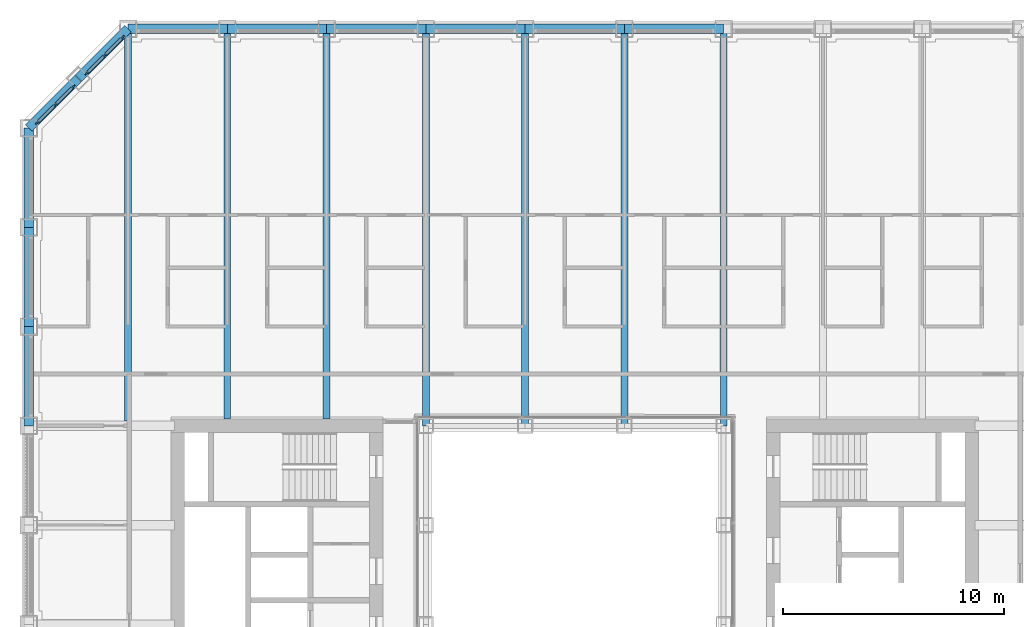
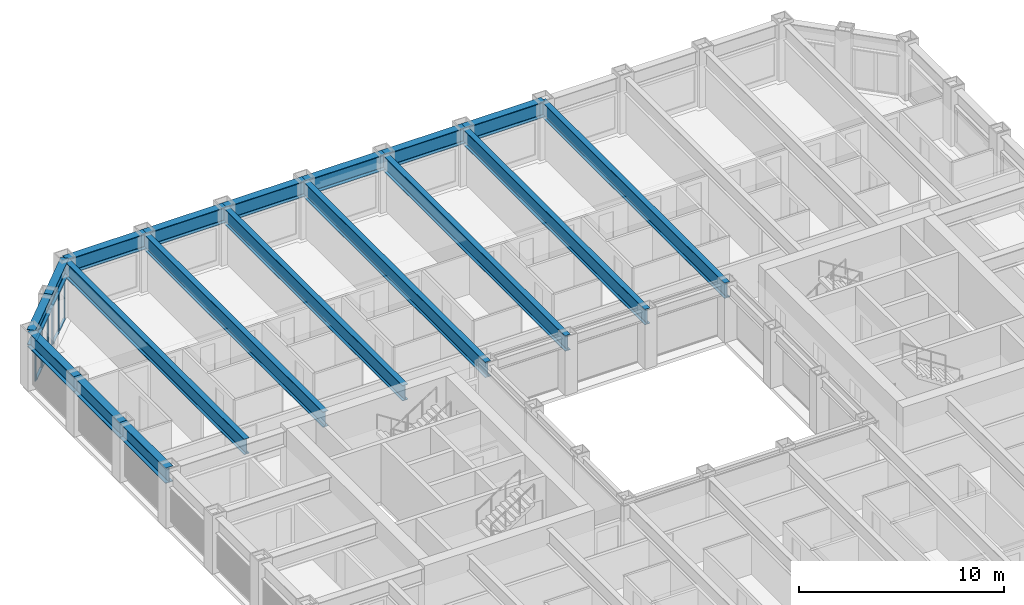
# One storey, part 6 of 21: 18 beams, 14 members, 2 elements without a shape of their own.
"""IFC4 building model written with IfcOpenShell, lengths in metres."""

import ifcopenshell
import ifcopenshell.guid

model = None  # the IFC model being written
_history = None  # IfcOwnerHistory: only IFC2X3 demands one
_inside = {}  # id of a spatial element -> (the spatial element, [elements in it])
_under = {}  # id of a project, library or spatial element -> (it, [spatial elements below it])
_declared = {}  # id of a project -> (the project, [libraries it declares])
_typed = {}  # id of a type object -> (the type object, [elements of that type])
_made_of = {}  # id of a material, layer set ... -> (it, [elements and type objects made of it])


def new_model(schema):
    """Start an empty IFC model of exactly this schema.

    Asked for "IFC4X3", IfcOpenShell would pick the latest addendum, in which some entities
    have other attributes; the version numbers below select the first issue.
    IFC2X3 requires an IfcOwnerHistory on every rooted entity: one is made here for all.
    """
    global model, _history
    if schema == "IFC4X3":
        model = ifcopenshell.file(schema_version=(4, 3, 0, 0))
    else:
        model = ifcopenshell.file(schema=schema)
    _inside.clear()
    _under.clear()
    _declared.clear()
    _typed.clear()
    _made_of.clear()
    _history = None
    if model.schema == "IFC2X3":
        org = make("IfcOrganization", Name="unknown")
        user = make(
            "IfcPersonAndOrganization",
            ThePerson=make("IfcPerson", FamilyName="unknown"),
            TheOrganization=org,
        )
        app = make(
            "IfcApplication",
            ApplicationDeveloper=org,
            Version="unknown",
            ApplicationFullName="unknown",
            ApplicationIdentifier="unknown",
        )
        _history = make(
            "IfcOwnerHistory",
            OwningUser=user,
            OwningApplication=app,
            ChangeAction="ADDED",
            CreationDate=0,
        )
    return model


def make(cls, **values):
    """One entity of the class cls with the attributes given. An attribute that is None is left unset."""
    return model.create_entity(
        cls, **{name: value for name, value in values.items() if value is not None}
    )


def rooted(cls, **values):
    """An entity with a GlobalId (a new one), such as an element, a storey or a relation."""
    return make(cls, GlobalId=ifcopenshell.guid.new(), OwnerHistory=_history, **values)


def si_unit(unit_type, name, prefix=None):
    """IfcSIUnit, for example si_unit("LENGTHUNIT", "METRE", prefix="MILLI")."""
    return make("IfcSIUnit", UnitType=unit_type, Prefix=prefix, Name=name)


def assignment(units):
    """IfcUnitAssignment: the units of a project."""
    return None if units is None else make("IfcUnitAssignment", Units=units)


def point(xyz):
    """IfcCartesianPoint."""
    return None if xyz is None else make("IfcCartesianPoint", Coordinates=xyz)


def direction(xyz):
    """IfcDirection."""
    return None if xyz is None else make("IfcDirection", DirectionRatios=xyz)


def frame(location, z_axis=None, x_axis=None):
    """IfcAxis2Placement3D, a coordinate frame: its origin and axes. An axis left out is left unset."""
    return make(
        "IfcAxis2Placement3D",
        Location=point(location),
        Axis=direction(z_axis),
        RefDirection=direction(x_axis),
    )


def frame_2d(location, x_axis=None):
    """IfcAxis2Placement2D, a coordinate frame in the plane: its origin and x axis."""
    return make(
        "IfcAxis2Placement2D", Location=point(location), RefDirection=direction(x_axis)
    )


def origin():
    """The frame at (0, 0, 0) with its axes left unset."""
    return frame((0.0, 0.0, 0.0))


def origin_2d():
    """The frame at (0, 0) in the plane with its x axis left unset."""
    return frame_2d((0.0, 0.0))


def place(relative_to, where):
    """IfcLocalPlacement: puts the frame where relative to a parent placement (None: the world)."""
    return make(
        "IfcLocalPlacement", PlacementRelTo=relative_to, RelativePlacement=where
    )


def context(
    kind, dimensions, precision=None, world=None, true_north=None, identifier=None
):
    """IfcGeometricRepresentationContext, for example the 3D "Model" context."""
    return make(
        "IfcGeometricRepresentationContext",
        ContextIdentifier=identifier,
        ContextType=kind,
        CoordinateSpaceDimension=dimensions,
        Precision=precision,
        WorldCoordinateSystem=world,
        TrueNorth=true_north,
    )


def subcontext(parent, identifier, kind, view, scale=None):
    """IfcGeometricRepresentationSubContext, for example "Body" below "Model"."""
    return make(
        "IfcGeometricRepresentationSubContext",
        ContextIdentifier=identifier,
        ContextType=kind,
        ParentContext=parent,
        TargetScale=scale,
        TargetView=view,
    )


def project(units=None, contexts=None):
    """IfcProject with its units and contexts."""
    return rooted(
        "IfcProject",
        Name="project",
        RepresentationContexts=contexts,
        UnitsInContext=assignment(units),
    )


def spatial(cls, under=None, at=None, **own):
    """A site, building, storey or space (cls), placed at a placement, below another one or the project."""
    s = rooted(cls, ObjectPlacement=at, **own)
    if under is not None:
        _under.setdefault(under.id(), (under, []))[1].append(s)
    return s


def profile(cls, at=None, kind="AREA", **sizes):
    """A parametric profile (cls). Its sizes go by their IFC names, for example OverallWidth=200.0."""
    return make(cls, ProfileType=kind, Position=at, **sizes)


def rectangle(**sizes):
    """IfcRectangleProfileDef."""
    return profile("IfcRectangleProfileDef", **sizes)


def i_section(**sizes):
    """IfcIShapeProfileDef."""
    return profile("IfcIShapeProfileDef", **sizes)


def extrude(swept, where, along, depth):
    """IfcExtrudedAreaSolid: the profile swept, set in the frame where, extruded along a direction by depth."""
    return make(
        "IfcExtrudedAreaSolid",
        SweptArea=swept,
        Position=where,
        ExtrudedDirection=direction(along),
        Depth=depth,
    )


def shape(context_of_items, identifier, shape_type, items):
    """IfcShapeRepresentation: the items that make up one representation, for example the "Body"."""
    return make(
        "IfcShapeRepresentation",
        ContextOfItems=context_of_items,
        RepresentationIdentifier=identifier,
        RepresentationType=shape_type,
        Items=items,
    )


def material(Name=None, Category=None):
    """IfcMaterial."""
    return make("IfcMaterial", Name=Name, Category=Category)


def material_profile(
    of_material, cross_section, Name=None, Category=None, Priority=None
):
    """IfcMaterialProfile: a cross section and its material."""
    return make(
        "IfcMaterialProfile",
        Name=Name,
        Material=of_material,
        Profile=cross_section,
        Priority=Priority,
        Category=Category,
    )


def profile_set(profiles, Name=None, composite=None):
    """IfcMaterialProfileSet."""
    return make(
        "IfcMaterialProfileSet",
        Name=Name,
        MaterialProfiles=profiles,
        CompositeProfile=composite,
    )


def made_of(thing, what):
    """Note that an element or type object is made of a material, layer set ...; save() writes the relation."""
    if what is not None:
        _made_of.setdefault(what.id(), (what, []))[1].append(thing)
    return thing


def type_object(cls, material=None, **own):
    """A type object (cls), such as IfcWallType, which elements share."""
    return made_of(rooted(cls, **own), material)


def element(
    cls,
    number,
    at=None,
    inside=None,
    cuts=None,
    type_object=None,
    material=None,
    context=None,
    identifier="Body",
    shape_type=None,
    held_by="IfcProductDefinitionShape",
    body=None,
    shapes=None,
    **own,
):
    """One element of the class cls, such as IfcWall. Its Tag is "e" and its number.

    at: its placement. inside: the storey or other place that contains it. cuts: it is an
    opening in that element (IfcRelVoidsElement). A single representation is given by context,
    identifier, shape_type and body (its items); several are given by shapes. held_by: the class
    of the entity that holds the representations. save() writes the other relations.
    """
    e = rooted(cls, Tag="e%d" % number, ObjectPlacement=at, **own)
    if body is not None:
        shapes = [shape(context, identifier, shape_type, body)]
    if shapes is not None:
        e.Representation = make(held_by, Representations=shapes)
    if inside is not None:
        _inside.setdefault(inside.id(), (inside, []))[1].append(e)
    if cuts is not None:
        rooted(
            "IfcRelVoidsElement", RelatingBuildingElement=cuts, RelatedOpeningElement=e
        )
    if type_object is not None:
        _typed.setdefault(type_object.id(), (type_object, []))[1].append(e)
    return made_of(e, material)


def aggregate(whole, parts):
    """IfcRelAggregates: a whole, such as a stair, and the parts it consists of."""
    return rooted("IfcRelAggregates", RelatingObject=whole, RelatedObjects=parts)


def save(model, path):
    """Write the relations noted so far, then the file.

    IfcRelAggregates (storeys below a building ...), IfcRelContainedInSpatialStructure (elements
    in a storey), IfcRelDefinesByType, IfcRelAssociatesMaterial and IfcRelDeclares: one each for
    every whole, place, type object, material and project.
    """
    for whole, parts in _under.values():
        aggregate(whole, parts)
    for where, things in _inside.values():
        rooted(
            "IfcRelContainedInSpatialStructure",
            RelatedElements=things,
            RelatingStructure=where,
        )
    for kind, things in _typed.values():
        rooted("IfcRelDefinesByType", RelatedObjects=things, RelatingType=kind)
    for what, things in _made_of.values():
        rooted("IfcRelAssociatesMaterial", RelatedObjects=things, RelatingMaterial=what)
    for by, libraries in _declared.values():
        rooted("IfcRelDeclares", RelatingContext=by, RelatedDefinitions=libraries)
    model.write(path)


model = new_model("IFC4")

# Units and contexts
model_context = context("Model", 3, precision=1e-05, world=origin(), true_north=direction((0.0, 1.0)))
body_context = subcontext(model_context, "Body", "Model", "MODEL_VIEW")
ifc_project = project(units=[si_unit("LENGTHUNIT", "METRE"), si_unit("AREAUNIT", "SQUARE_METRE"), si_unit("VOLUMEUNIT", "CUBIC_METRE"), si_unit("PLANEANGLEUNIT", "RADIAN"), si_unit("MASSUNIT", "GRAM", prefix="KILO")], contexts=[model_context])

# Site, building, storey
site_placement = place(None, origin())
site = spatial("IfcSite", under=ifc_project, at=site_placement, CompositionType="ELEMENT")
building_placement = place(site_placement, origin())
building = spatial("IfcBuilding", under=site, at=building_placement, Name="Msasa Ring Tower", CompositionType="ELEMENT")
storey_placement = place(building_placement, frame((0.0, 0.0, 96.5)))
storey = spatial("IfcBuildingStorey", under=building, at=storey_placement, Name="L25", CompositionType="ELEMENT", Elevation=96.5)

# Curtain wall, members
ifc_material_1 = material(Name="Aluminium curtain wall with clear glass", Category="aluminium")
curtain_wall_type = type_object("IfcCurtainWallType", Name="CW-C CHAMFER CORNER CURTAIN WALL", PredefinedType="NOTDEFINED", material=ifc_material_1)
curtain_wall_1_placement = place(storey_placement, origin())
curtain_wall_1 = element("IfcCurtainWall", 1, at=curtain_wall_1_placement, inside=storey, type_object=curtain_wall_type, Name="Chamfer corner curtain wall NW L25", PredefinedType="NOTDEFINED")
ifc_material_2 = material(Name="Aluminium mullion", Category="aluminium")
ifc_material_profile_1 = material_profile(ifc_material_2, rectangle(XDim=0.06494140625, YDim=0.179931640625, at=origin_2d()), Name="AL 65x180")
ifc_profile_set_1 = profile_set([ifc_material_profile_1], Name="Aluminium mullion")
member_type_1 = type_object("IfcMemberType", Name="CW-C MULLION 65x180", PredefinedType="MULLION", material=ifc_profile_set_1)
member_1_placement = place(storey_placement, frame((-22.73876953125, 22.119873046875, 0.0), z_axis=(0.0, 0.0, 1.0), x_axis=(0.707106781187, -0.707106781187, 0.0)))
member_1 = element("IfcMember", 2, at=member_1_placement, type_object=member_type_1, Name="CW-C mullion 1", PredefinedType="MULLION", context=body_context, shape_type="SweptSolid", body=[
    extrude(rectangle(XDim=0.06494140625, YDim=0.179931640625, at=origin_2d()), origin(), (0.0, 0.0, 1.0), 2.37890625),
])
member_2_placement = place(storey_placement, frame((-23.55419921875, 21.30419921875, 0.0), z_axis=(0.0, 0.0, 1.0), x_axis=(0.707106781187, -0.707106781187, 0.0)))
member_2 = element("IfcMember", 3, at=member_2_placement, type_object=member_type_1, Name="CW-C mullion 2", PredefinedType="MULLION", context=body_context, shape_type="SweptSolid", body=[
    extrude(rectangle(XDim=0.06494140625, YDim=0.179931640625, at=origin_2d()), origin(), (0.0, 0.0, 1.0), 2.37890625),
])
member_3_placement = place(storey_placement, frame((-24.369873046875, 20.48876953125, 0.0), z_axis=(0.0, 0.0, 1.0), x_axis=(0.707106781187, -0.707106781187, 0.0)))
member_3 = element("IfcMember", 4, at=member_3_placement, type_object=member_type_1, Name="CW-C mullion 3", PredefinedType="MULLION", context=body_context, shape_type="SweptSolid", body=[
    extrude(rectangle(XDim=0.06494140625, YDim=0.179931640625, at=origin_2d()), origin(), (0.0, 0.0, 1.0), 2.37890625),
])

curtain_wall_2_placement = place(storey_placement, origin())
curtain_wall_2 = element("IfcCurtainWall", 5, at=curtain_wall_2_placement, inside=storey, type_object=curtain_wall_type, Name="Chamfer corner curtain wall NW L25", PredefinedType="NOTDEFINED")
member_4_placement = place(storey_placement, frame((-20.48876953125, 24.369873046875, 0.0), z_axis=(0.0, 0.0, 1.0), x_axis=(0.707106781187, -0.707106781187, 0.0)))
member_4 = element("IfcMember", 6, at=member_4_placement, type_object=member_type_1, Name="CW-C mullion 1", PredefinedType="MULLION", context=body_context, shape_type="SweptSolid", body=[
    extrude(rectangle(XDim=0.06494140625, YDim=0.179931640625, at=origin_2d()), origin(), (0.0, 0.0, 1.0), 2.37890625),
])
member_5_placement = place(storey_placement, frame((-21.30419921875, 23.55419921875, 0.0), z_axis=(0.0, 0.0, 1.0), x_axis=(0.707106781187, -0.707106781187, 0.0)))
member_5 = element("IfcMember", 7, at=member_5_placement, type_object=member_type_1, Name="CW-C mullion 2", PredefinedType="MULLION", context=body_context, shape_type="SweptSolid", body=[
    extrude(rectangle(XDim=0.06494140625, YDim=0.179931640625, at=origin_2d()), origin(), (0.0, 0.0, 1.0), 2.37890625),
])
member_6_placement = place(storey_placement, frame((-22.119873046875, 22.73876953125, 0.0), z_axis=(0.0, 0.0, 1.0), x_axis=(0.707106781187, -0.707106781187, 0.0)))
member_6 = element("IfcMember", 8, at=member_6_placement, type_object=member_type_1, Name="CW-C mullion 3", PredefinedType="MULLION", context=body_context, shape_type="SweptSolid", body=[
    extrude(rectangle(XDim=0.06494140625, YDim=0.179931640625, at=origin_2d()), origin(), (0.0, 0.0, 1.0), 2.37890625),
])

# Member
ifc_material_3 = material(Name="Aluminium transom", Category="aluminium")
ifc_material_profile_2 = material_profile(ifc_material_3, rectangle(XDim=0.139892578125, YDim=0.06494140625, at=origin_2d()), Name="AL 65x140")
ifc_profile_set_2 = profile_set([ifc_material_profile_2], Name="Aluminium transom")
member_type_2 = type_object("IfcMemberType", Name="CW-C TRANSOM 65x140", PredefinedType="USERDEFINED", material=ifc_profile_set_2)
member_7_placement = place(storey_placement, frame((-22.76171875, 22.096923828125, 0.032470703125), z_axis=(-0.707106781187, -0.707106781187, 0.0), x_axis=(0.707106781187, -0.707106781187, 0.0)))
member_7 = element("IfcMember", 9, at=member_7_placement, type_object=member_type_2, Name="CW-C transom 1.1", ObjectType="TRANSOM", PredefinedType="USERDEFINED", context=body_context, shape_type="SweptSolid", body=[
    extrude(rectangle(XDim=0.139892578125, YDim=0.06494140625, at=origin_2d()), origin(), (0.0, 0.0, 1.0), 1.08837890625),
])

member_8_placement = place(storey_placement, frame((-22.76171875, 22.096923828125, 2.346435546875), z_axis=(-0.707106781187, -0.707106781187, 0.0), x_axis=(0.707106781187, -0.707106781187, 0.0)))
member_8 = element("IfcMember", 10, at=member_8_placement, type_object=member_type_2, Name="CW-C transom 1.2", ObjectType="TRANSOM", PredefinedType="USERDEFINED", context=body_context, shape_type="SweptSolid", body=[
    extrude(rectangle(XDim=0.139892578125, YDim=0.06494140625, at=origin_2d()), origin(), (0.0, 0.0, 1.0), 1.08837890625),
])

member_9_placement = place(storey_placement, frame((-23.577392578125, 21.28125, 0.032470703125), z_axis=(-0.707106781187, -0.707106781187, 0.0), x_axis=(0.707106781187, -0.707106781187, 0.0)))
member_9 = element("IfcMember", 11, at=member_9_placement, type_object=member_type_2, Name="CW-C transom 2.1", ObjectType="TRANSOM", PredefinedType="USERDEFINED", context=body_context, shape_type="SweptSolid", body=[
    extrude(rectangle(XDim=0.139892578125, YDim=0.06494140625, at=origin_2d()), origin(), (0.0, 0.0, 1.0), 1.08837890625),
])

member_10_placement = place(storey_placement, frame((-23.577392578125, 21.28125, 2.346435546875), z_axis=(-0.707106781187, -0.707106781187, 0.0), x_axis=(0.707106781187, -0.707106781187, 0.0)))
member_10 = element("IfcMember", 12, at=member_10_placement, type_object=member_type_2, Name="CW-C transom 2.2", ObjectType="TRANSOM", PredefinedType="USERDEFINED", context=body_context, shape_type="SweptSolid", body=[
    extrude(rectangle(XDim=0.139892578125, YDim=0.06494140625, at=origin_2d()), origin(), (0.0, 0.0, 1.0), 1.08837890625),
])

aggregate(curtain_wall_1, [member_1, member_2, member_3, member_7, member_8, member_9, member_10])

member_11_placement = place(storey_placement, frame((-20.51171875, 24.346923828125, 0.032470703125), z_axis=(-0.707106781187, -0.707106781187, 0.0), x_axis=(0.707106781187, -0.707106781187, 0.0)))
member_11 = element("IfcMember", 13, at=member_11_placement, type_object=member_type_2, Name="CW-C transom 1.1", ObjectType="TRANSOM", PredefinedType="USERDEFINED", context=body_context, shape_type="SweptSolid", body=[
    extrude(rectangle(XDim=0.139892578125, YDim=0.06494140625, at=origin_2d()), origin(), (0.0, 0.0, 1.0), 1.08837890625),
])

member_12_placement = place(storey_placement, frame((-20.51171875, 24.346923828125, 2.346435546875), z_axis=(-0.707106781187, -0.707106781187, 0.0), x_axis=(0.707106781187, -0.707106781187, 0.0)))
member_12 = element("IfcMember", 14, at=member_12_placement, type_object=member_type_2, Name="CW-C transom 1.2", ObjectType="TRANSOM", PredefinedType="USERDEFINED", context=body_context, shape_type="SweptSolid", body=[
    extrude(rectangle(XDim=0.139892578125, YDim=0.06494140625, at=origin_2d()), origin(), (0.0, 0.0, 1.0), 1.08837890625),
])

member_13_placement = place(storey_placement, frame((-21.327392578125, 23.53125, 0.032470703125), z_axis=(-0.707106781187, -0.707106781187, 0.0), x_axis=(0.707106781187, -0.707106781187, 0.0)))
member_13 = element("IfcMember", 15, at=member_13_placement, type_object=member_type_2, Name="CW-C transom 2.1", ObjectType="TRANSOM", PredefinedType="USERDEFINED", context=body_context, shape_type="SweptSolid", body=[
    extrude(rectangle(XDim=0.139892578125, YDim=0.06494140625, at=origin_2d()), origin(), (0.0, 0.0, 1.0), 1.08837890625),
])

member_14_placement = place(storey_placement, frame((-21.327392578125, 23.53125, 2.346435546875), z_axis=(-0.707106781187, -0.707106781187, 0.0), x_axis=(0.707106781187, -0.707106781187, 0.0)))
member_14 = element("IfcMember", 16, at=member_14_placement, type_object=member_type_2, Name="CW-C transom 2.2", ObjectType="TRANSOM", PredefinedType="USERDEFINED", context=body_context, shape_type="SweptSolid", body=[
    extrude(rectangle(XDim=0.139892578125, YDim=0.06494140625, at=origin_2d()), origin(), (0.0, 0.0, 1.0), 1.08837890625),
])

aggregate(curtain_wall_2, [member_4, member_5, member_6, member_11, member_12, member_13, member_14])

# Beams
ifc_material_4 = material(Name="Steel S355", Category="steel")
ifc_material_profile_3 = material_profile(ifc_material_4, i_section(OverallWidth=0.3076171875, OverallDepth=0.926513671875, WebThickness=0.01953125, FlangeThickness=0.031982421875, FilletRadius=0.01904296875, at=origin_2d()), Name="UB 914x305x289")
ifc_profile_set_3 = profile_set([ifc_material_profile_3], Name="Steel S355")
beam_type_1 = type_object("IfcBeamType", Name="FB3 UB 914x305x289", PredefinedType="BEAM", material=ifc_profile_set_3)
beam_placement = place(storey_placement, frame((-20.25, 24.75, 2.836669921875), z_axis=(0.0, -1.0, 0.0), x_axis=(1.0, 0.0, 0.0)))
element("IfcBeam", 17, at=beam_placement, inside=storey, type_object=beam_type_1, Name="Floor beam N-20.25 under L26", PredefinedType="BEAM", context=body_context, shape_type="SweptSolid", body=[
    extrude(i_section(OverallWidth=0.3076171875, OverallDepth=0.926513671875, WebThickness=0.01953125, FlangeThickness=0.031982421875, FilletRadius=0.01904296875, at=origin_2d()), origin(), (0.0, 0.0, 1.0), 17.789794921875),
])
for number, where, z_axis, x_axis, name in (
    (18, (-15.75, 24.75, 2.836669921875), (0.0, -1.0, 0.0), (1.0, 0.0, 0.0), "Floor beam N-15.75 under L26"),
    (19, (-11.25, 24.75, 2.836669921875), (0.0, -1.0, 0.0), (1.0, 0.0, 0.0), "Floor beam N-11.25 under L26"),
):
    element("IfcBeam", number, at=place(storey_placement, frame(where, z_axis=z_axis, x_axis=x_axis)), inside=storey, type_object=beam_type_1, Name=name, PredefinedType="BEAM", context=body_context, shape_type="SweptSolid", body=[
        extrude(i_section(OverallWidth=0.3076171875, OverallDepth=0.926513671875, WebThickness=0.01953125, FlangeThickness=0.031982421875, FilletRadius=0.01904296875, at=origin_2d()), origin(), (0.0, 0.0, 1.0), 17.699951171875),
    ])
for number, where, z_axis, x_axis, name in (
    (20, (-6.75, 24.75, 2.836669921875), (0.0, -1.0, 0.0), (1.0, 0.0, 0.0), "Floor beam N-6.75 under L26"),
    (21, (-2.25, 24.75, 2.836669921875), (0.0, -1.0, 0.0), (1.0, 0.0, 0.0), "Floor beam N-2.25 under L26"),
    (22, (2.25, 24.75, 2.836669921875), (0.0, -1.0, 0.0), (1.0, 0.0, 0.0), "Floor beam N+2.25 under L26"),
    (23, (6.75, 24.75, 2.836669921875), (0.0, -1.0, 0.0), (1.0, 0.0, 0.0), "Floor beam N+6.75 under L26"),
):
    element("IfcBeam", number, at=place(storey_placement, frame(where, z_axis=z_axis, x_axis=x_axis)), inside=storey, type_object=beam_type_1, Name=name, PredefinedType="BEAM", context=body_context, shape_type="SweptSolid", body=[
        extrude(i_section(OverallWidth=0.3076171875, OverallDepth=0.926513671875, WebThickness=0.01953125, FlangeThickness=0.031982421875, FilletRadius=0.01904296875, at=origin_2d()), origin(), (0.0, 0.0, 1.0), 18.0),
    ])
ifc_material_5 = material(Name="Steel S355", Category="steel")
ifc_material_profile_4 = material_profile(ifc_material_5, i_section(OverallWidth=0.42041015625, OverallDepth=0.9208984375, WebThickness=0.021484375, FlangeThickness=0.03662109375, FilletRadius=0.024169921875, at=origin_2d()), Name="UB 914x419x388")
ifc_profile_set_4 = profile_set([ifc_material_profile_4], Name="Steel S355")
beam_type_2 = type_object("IfcBeamType", Name="SB1 UB 914x419x388", PredefinedType="SPANDREL", material=ifc_profile_set_4)
for number, where, z_axis, x_axis, name in (
    (24, (6.75, 24.75, 2.839599609375), (-1.0, 0.0, 0.0), (0.0, -1.0, 0.0), "Spandrel N+6.75 to N+2.25 under L26"),
    (25, (2.25, 24.75, 2.839599609375), (-1.0, 0.0, 0.0), (0.0, -1.0, 0.0), "Spandrel N+2.25 to N-2.25 under L26"),
    (26, (-2.25, 24.75, 2.839599609375), (-1.0, 0.0, 0.0), (0.0, -1.0, 0.0), "Spandrel N-2.25 to N-6.75 under L26"),
    (27, (-6.75, 24.75, 2.839599609375), (-1.0, 0.0, 0.0), (0.0, -1.0, 0.0), "Spandrel N-6.75 to N-11.25 under L26"),
    (28, (-11.25, 24.75, 2.839599609375), (-1.0, 0.0, 0.0), (0.0, -1.0, 0.0), "Spandrel N-11.25 to N-15.75 under L26"),
    (29, (-15.75, 24.75, 2.839599609375), (-1.0, 0.0, 0.0), (0.0, -1.0, 0.0), "Spandrel N-15.75 to N-20.25 under L26"),
):
    element("IfcBeam", number, at=place(storey_placement, frame(where, z_axis=z_axis, x_axis=x_axis)), inside=storey, type_object=beam_type_2, Name=name, PredefinedType="SPANDREL", context=body_context, shape_type="SweptSolid", body=[
        extrude(i_section(OverallWidth=0.42041015625, OverallDepth=0.9208984375, WebThickness=0.021484375, FlangeThickness=0.03662109375, FilletRadius=0.024169921875, at=origin_2d()), origin(), (0.0, 0.0, 1.0), 4.5),
    ])
for number, where, z_axis, x_axis, name in (
    (30, (-20.25, 24.75, 2.839599609375), (-0.707106781187, -0.707106781187, 0.0), (0.707106781187, -0.707106781187, 0.0), "Spandrel N-20.25 to NW under L26"),
    (31, (-22.5, 22.5, 2.839599609375), (-0.707106781187, -0.707106781187, 0.0), (0.707106781187, -0.707106781187, 0.0), "Spandrel NW to W+20.25 under L26"),
):
    element("IfcBeam", number, at=place(storey_placement, frame(where, z_axis=z_axis, x_axis=x_axis)), inside=storey, type_object=beam_type_2, Name=name, PredefinedType="SPANDREL", context=body_context, shape_type="SweptSolid", body=[
        extrude(i_section(OverallWidth=0.42041015625, OverallDepth=0.9208984375, WebThickness=0.021484375, FlangeThickness=0.03662109375, FilletRadius=0.024169921875, at=origin_2d()), origin(), (0.0, 0.0, 1.0), 3.181884765625),
    ])
for number, where, z_axis, x_axis, name in (
    (32, (-24.75, 20.25, 2.839599609375), (0.0, -1.0, 0.0), (1.0, 0.0, 0.0), "Spandrel W+20.25 to W+15.75 under L26"),
    (33, (-24.75, 15.75, 2.839599609375), (0.0, -1.0, 0.0), (1.0, 0.0, 0.0), "Spandrel W+15.75 to W+11.25 under L26"),
    (34, (-24.75, 11.25, 2.839599609375), (0.0, -1.0, 0.0), (1.0, 0.0, 0.0), "Spandrel W+11.25 to W+6.75 under L26"),
):
    element("IfcBeam", number, at=place(storey_placement, frame(where, z_axis=z_axis, x_axis=x_axis)), inside=storey, type_object=beam_type_2, Name=name, PredefinedType="SPANDREL", context=body_context, shape_type="SweptSolid", body=[
        extrude(i_section(OverallWidth=0.42041015625, OverallDepth=0.9208984375, WebThickness=0.021484375, FlangeThickness=0.03662109375, FilletRadius=0.024169921875, at=origin_2d()), origin(), (0.0, 0.0, 1.0), 4.5),
    ])

save(model, "model.ifc")
